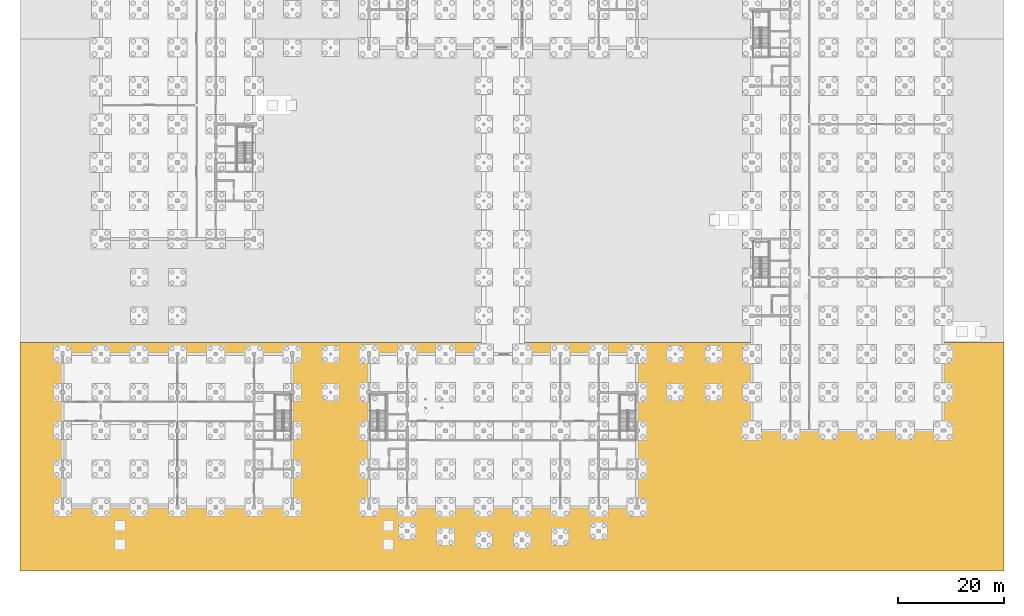
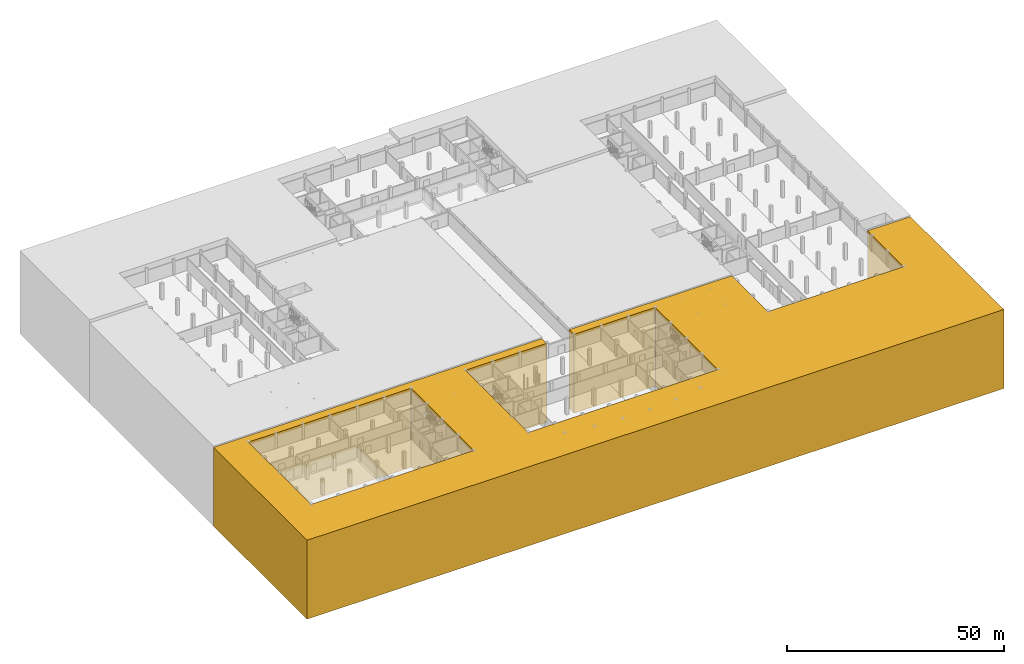
# One storey, part 39 of 51: 1 covering.
"""IFC4 building model written with IfcOpenShell, lengths in metres."""

from ifc_helpers import new_model, si_unit, direction, frame, origin, place, context, subcontext, project, spatial, polyline, outline, extrude, material, layer, layer_set, type_object, element, save


model = new_model("IFC4")

# Units and contexts
model_context = context("Model", 3, precision=1e-05, world=origin(), true_north=direction((0.0, 1.0)))
body_context = subcontext(model_context, "Body", "Model", "MODEL_VIEW")
ifc_project = project(units=[si_unit("LENGTHUNIT", "METRE"), si_unit("AREAUNIT", "SQUARE_METRE"), si_unit("VOLUMEUNIT", "CUBIC_METRE"), si_unit("PLANEANGLEUNIT", "RADIAN"), si_unit("MASSUNIT", "GRAM", prefix="KILO")], contexts=[model_context])

# Site, building, storey
site_placement = place(None, origin())
site = spatial("IfcSite", under=ifc_project, at=site_placement, CompositionType="ELEMENT")
building_placement = place(site_placement, origin())
building = spatial("IfcBuilding", under=site, at=building_placement, Name="Zlatovets Crest Museum", CompositionType="ELEMENT")
storey_placement = place(building_placement, frame((0.0, 0.0, -4.5)))
storey = spatial("IfcBuildingStorey", under=building, at=storey_placement, Name="B1", CompositionType="ELEMENT", Elevation=-4.5)

# Covering
ifc_material = material(Name="Bush-hammered Vratsa stone court paving", Category="masonry")
ifc_layer = layer(ifc_material, 0.080078125)
ifc_layer_set = layer_set([ifc_layer], Name="Bush-hammered Vratsa stone court paving")
covering_type = type_object("IfcCoveringType", Name="SitePaving_PV01", PredefinedType="USERDEFINED", material=ifc_layer_set)
covering_placement = place(storey_placement, frame((0.0, 0.0, -18.0)))
element("IfcCovering", 1, at=covering_placement, inside=storey, type_object=covering_type, Name="Stepped Vratsa Stone Hillside Plinth SOUTH-BLVD", ObjectType="PAVING", PredefinedType="USERDEFINED", context=body_context, shape_type="SweptSolid", body=[
    extrude(outline(polyline([(177.0, 31.0), (177.0, -12.0), (-8.0, -12.0), (-8.0, 31.0), (79.199951171875, 31.0), (79.199951171875, 28.800048828125), (57.60009765625, 28.800048828125), (57.60009765625, 0.0), (108.0, 0.0), (108.0, 28.800048828125), (86.39990234375, 28.800048828125), (86.39990234375, 31.0), (129.60009765625, 31.0), (129.60009765625, 14.39990234375), (165.60009765625, 14.39990234375), (165.60009765625, 31.0), (177.0, 31.0)]), holes=[polyline([(0.0, 0.0), (43.199951171875, 0.0), (43.199951171875, 28.800048828125), (0.0, 28.800048828125), (0.0, 0.0)])]), origin(), (0.0, 0.0, 1.0), 22.14990234375),
])

save(model, "model.ifc")
